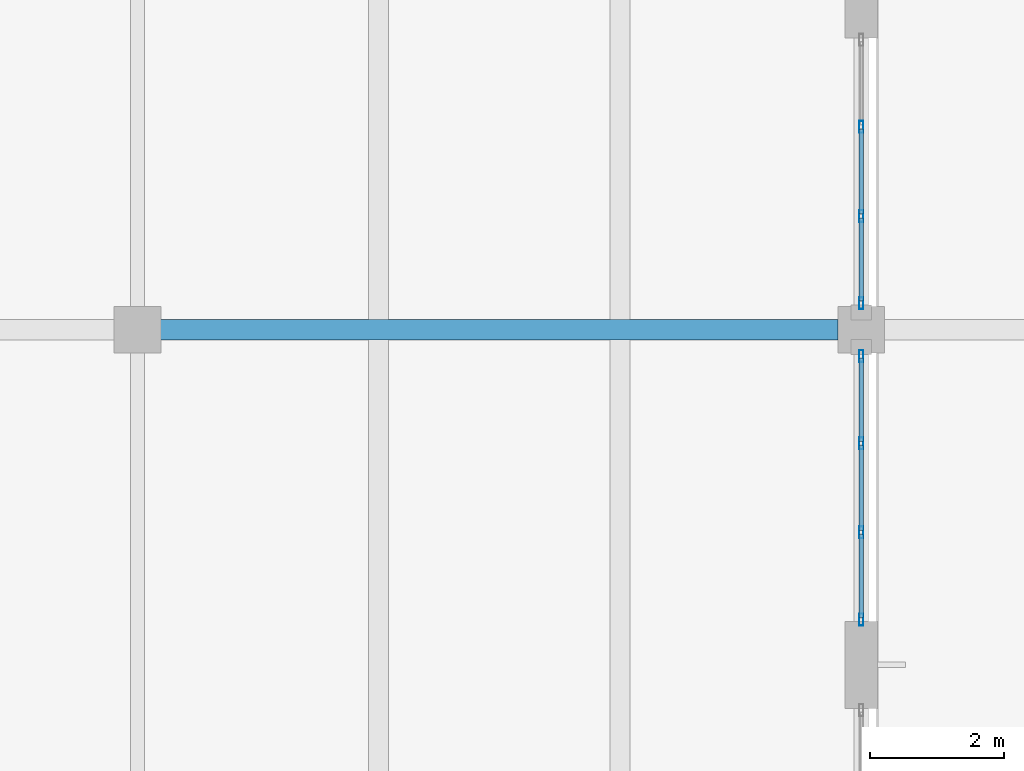
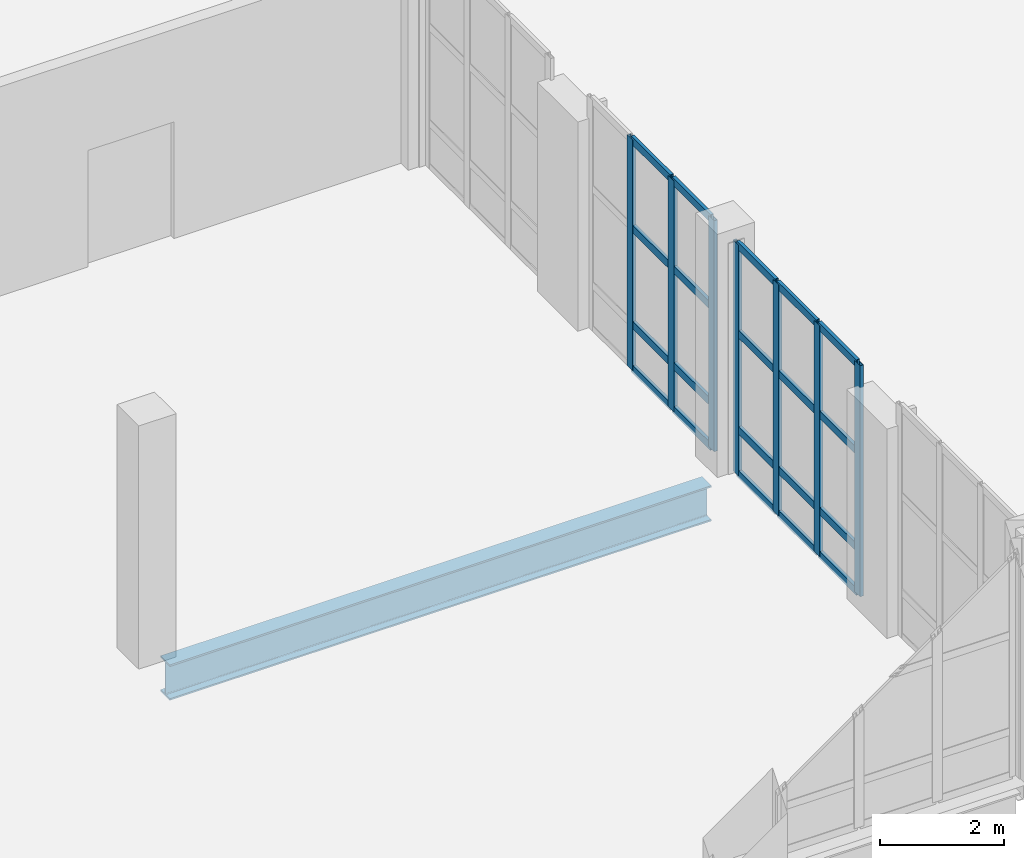
# One storey, part 50 of 92: 27 members, 1 beam, 2 elements without a shape of their own.
"""IFC4 building model written with IfcOpenShell, lengths in metres."""

from ifc_helpers import new_model, si_unit, direction, frame, origin, origin_2d, place, context, subcontext, project, spatial, hollow_rectangle, i_section, extrude, material, layer, layer_set, material_profile, profile_set, type_object, element, aggregate, save


model = new_model("IFC4")

# Units and contexts
model_context = context("Model", 3, precision=1e-05, world=origin(), true_north=direction((0.0, 1.0)))
body_context = subcontext(model_context, "Body", "Model", "MODEL_VIEW")
ifc_project = project(units=[si_unit("LENGTHUNIT", "METRE"), si_unit("AREAUNIT", "SQUARE_METRE"), si_unit("VOLUMEUNIT", "CUBIC_METRE"), si_unit("PLANEANGLEUNIT", "RADIAN"), si_unit("MASSUNIT", "GRAM", prefix="KILO")], contexts=[model_context])

# Site, building, storey
site_placement = place(None, origin())
site = spatial("IfcSite", under=ifc_project, at=site_placement, CompositionType="ELEMENT")
building_placement = place(site_placement, origin())
building = spatial("IfcBuilding", under=site, at=building_placement, Name="Tasgan Crest Museum", CompositionType="ELEMENT")
storey_placement = place(building_placement, frame((0.0, 0.0, 4.800048828125)))
storey = spatial("IfcBuildingStorey", under=building, at=storey_placement, Name="L01", CompositionType="ELEMENT", Elevation=4.800048828125)

# Beam
ifc_material_1 = material(Name="Steel S355K2", Category="steel")
ifc_material_profile_1 = material_profile(ifc_material_1, i_section(OverallWidth=0.300048828125, OverallDepth=0.699951171875, WebThickness=0.01708984375, FlangeThickness=0.031982421875, FilletRadius=0.027099609375, at=origin_2d()), Name="HEB 700")
ifc_profile_set_1 = profile_set([ifc_material_profile_1], Name="Steel S355K2")
beam_type = type_object("IfcBeamType", Name="BM-G-HEB700", PredefinedType="BEAM", material=ifc_profile_set_1)
beam_placement = place(storey_placement, frame((140.74609375, 20.0, -0.630126953125), z_axis=(1.0, 0.0, 0.0), x_axis=(0.0, 1.0, 0.0)))
element("IfcBeam", 1, at=beam_placement, inside=storey, type_object=beam_type, Name="Girder L01 C 140.4-151.2", PredefinedType="BEAM", context=body_context, shape_type="SweptSolid", body=[
    extrude(i_section(OverallWidth=0.300048828125, OverallDepth=0.699951171875, WebThickness=0.01708984375, FlangeThickness=0.031982421875, FilletRadius=0.027099609375, at=origin_2d()), origin(), (0.0, 0.0, 1.0), 10.10791015625),
])

# Curtain wall, members
ifc_material_2 = material(Name="Triple-Glazed Aluminium Curtain Wall", Category="aluminium")
ifc_layer = layer(ifc_material_2, 0.179931640625, Name="CW-PORCH-Y")
ifc_layer_set = layer_set([ifc_layer], Name="Triple-Glazed Aluminium Curtain Wall")
curtain_wall_type = type_object("IfcCurtainWallType", Name="CW-PORCH-Y", PredefinedType="NOTDEFINED", material=ifc_layer_set)
curtain_wall_1_placement = place(storey_placement, origin())
curtain_wall_1 = element("IfcCurtainWall", 2, at=curtain_wall_1_placement, inside=storey, type_object=curtain_wall_type, Name="Curtain wall L01 052", PredefinedType="NOTDEFINED")
ifc_material_3 = material(Name="Anodised Aluminium", Category="aluminium")
ifc_material_profile_2 = material_profile(ifc_material_3, hollow_rectangle(XDim=0.06494140625, YDim=0.179931640625, WallThickness=0.0048828125, at=origin_2d()), Name="ALU MULLION 180x65x5")
ifc_profile_set_2 = profile_set([ifc_material_profile_2], Name="Anodised Aluminium")
member_type_1 = type_object("IfcMemberType", Name="CW-MULLION-180", PredefinedType="MULLION", material=ifc_profile_set_2)
member_1_placement = place(storey_placement, frame((151.199951171875, 15.675048828125, 0.0), z_axis=(0.0, 0.0, 1.0), x_axis=(-1.0, 0.0, 0.0)))
member_1 = element("IfcMember", 3, at=member_1_placement, type_object=member_type_1, Name="CW02 mullion 1", PredefinedType="MULLION", context=body_context, shape_type="SweptSolid", body=[
    extrude(hollow_rectangle(XDim=0.06494140625, YDim=0.179931640625, WallThickness=0.0048828125, at=origin_2d()), origin(), (0.0, 0.0, 1.0), 4.56005859375),
])
member_2_placement = place(storey_placement, frame((151.199951171875, 16.97509765625, 0.0), z_axis=(0.0, 0.0, 1.0), x_axis=(-1.0, 0.0, 0.0)))
member_2 = element("IfcMember", 4, at=member_2_placement, type_object=member_type_1, Name="CW02 mullion 2", PredefinedType="MULLION", context=body_context, shape_type="SweptSolid", body=[
    extrude(hollow_rectangle(XDim=0.06494140625, YDim=0.179931640625, WallThickness=0.0048828125, at=origin_2d()), origin(), (0.0, 0.0, 1.0), 4.56005859375),
])
member_3_placement = place(storey_placement, frame((151.199951171875, 18.304931640625, 0.0), z_axis=(0.0, 0.0, 1.0), x_axis=(-1.0, 0.0, 0.0)))
member_3 = element("IfcMember", 5, at=member_3_placement, type_object=member_type_1, Name="CW02 mullion 3", PredefinedType="MULLION", context=body_context, shape_type="SweptSolid", body=[
    extrude(hollow_rectangle(XDim=0.06494140625, YDim=0.179931640625, WallThickness=0.0048828125, at=origin_2d()), origin(), (0.0, 0.0, 1.0), 4.56005859375),
])
member_4_placement = place(storey_placement, frame((151.199951171875, 19.60498046875, 0.0), z_axis=(0.0, 0.0, 1.0), x_axis=(-1.0, 0.0, 0.0)))
member_4 = element("IfcMember", 6, at=member_4_placement, type_object=member_type_1, Name="CW02 mullion 4", PredefinedType="MULLION", context=body_context, shape_type="SweptSolid", body=[
    extrude(hollow_rectangle(XDim=0.06494140625, YDim=0.179931640625, WallThickness=0.0048828125, at=origin_2d()), origin(), (0.0, 0.0, 1.0), 4.56005859375),
])

curtain_wall_2_placement = place(storey_placement, origin())
curtain_wall_2 = element("IfcCurtainWall", 7, at=curtain_wall_2_placement, inside=storey, type_object=curtain_wall_type, Name="Curtain wall L01 053", PredefinedType="NOTDEFINED")
member_5_placement = place(storey_placement, frame((151.199951171875, 20.39501953125, 0.0), z_axis=(0.0, 0.0, 1.0), x_axis=(-1.0, 0.0, 0.0)))
member_5 = element("IfcMember", 8, at=member_5_placement, type_object=member_type_1, Name="CW02 mullion 1", PredefinedType="MULLION", context=body_context, shape_type="SweptSolid", body=[
    extrude(hollow_rectangle(XDim=0.06494140625, YDim=0.179931640625, WallThickness=0.0048828125, at=origin_2d()), origin(), (0.0, 0.0, 1.0), 4.56005859375),
])
member_6_placement = place(storey_placement, frame((151.199951171875, 21.695068359375, 0.0), z_axis=(0.0, 0.0, 1.0), x_axis=(-1.0, 0.0, 0.0)))
member_6 = element("IfcMember", 9, at=member_6_placement, type_object=member_type_1, Name="CW02 mullion 2", PredefinedType="MULLION", context=body_context, shape_type="SweptSolid", body=[
    extrude(hollow_rectangle(XDim=0.06494140625, YDim=0.179931640625, WallThickness=0.0048828125, at=origin_2d()), origin(), (0.0, 0.0, 1.0), 4.56005859375),
])
member_7_placement = place(storey_placement, frame((151.199951171875, 23.02490234375, 0.0), z_axis=(0.0, 0.0, 1.0), x_axis=(-1.0, 0.0, 0.0)))
member_7 = element("IfcMember", 10, at=member_7_placement, type_object=member_type_1, Name="CW02 mullion 3", PredefinedType="MULLION", context=body_context, shape_type="SweptSolid", body=[
    extrude(hollow_rectangle(XDim=0.06494140625, YDim=0.179931640625, WallThickness=0.0048828125, at=origin_2d()), origin(), (0.0, 0.0, 1.0), 4.56005859375),
])

# Member
ifc_material_4 = material(Name="Anodised Aluminium", Category="aluminium")
ifc_material_profile_3 = material_profile(ifc_material_4, hollow_rectangle(XDim=0.06005859375, YDim=0.14990234375, WallThickness=0.0048828125, at=origin_2d()), Name="ALU TRANSOM 150x60x5")
ifc_profile_set_3 = profile_set([ifc_material_profile_3], Name="Anodised Aluminium")
member_type_2 = type_object("IfcMemberType", Name="CW-TRANSOM-150", PredefinedType="USERDEFINED", material=ifc_profile_set_3)
member_8_placement = place(storey_placement, frame((151.199951171875, 15.705078125, 0.030029296875), z_axis=(0.0, 1.0, 0.0), x_axis=(-1.0, 0.0, 0.0)))
member_8 = element("IfcMember", 11, at=member_8_placement, type_object=member_type_2, Name="CW02 transom 1.1", ObjectType="TRANSOM", PredefinedType="USERDEFINED", context=body_context, shape_type="SweptSolid", body=[
    extrude(hollow_rectangle(XDim=0.06005859375, YDim=0.14990234375, WallThickness=0.0048828125, at=origin_2d()), origin(), (0.0, 0.0, 1.0), 1.239990234375),
])

member_9_placement = place(storey_placement, frame((151.199951171875, 15.705078125, 0.89990234375), z_axis=(0.0, 1.0, 0.0), x_axis=(-1.0, 0.0, 0.0)))
member_9 = element("IfcMember", 12, at=member_9_placement, type_object=member_type_2, Name="CW02 transom 1.2", ObjectType="TRANSOM", PredefinedType="USERDEFINED", context=body_context, shape_type="SweptSolid", body=[
    extrude(hollow_rectangle(XDim=0.06005859375, YDim=0.14990234375, WallThickness=0.0048828125, at=origin_2d()), origin(), (0.0, 0.0, 1.0), 1.239990234375),
])

member_10_placement = place(storey_placement, frame((151.199951171875, 15.705078125, 2.800048828125), z_axis=(0.0, 1.0, 0.0), x_axis=(-1.0, 0.0, 0.0)))
member_10 = element("IfcMember", 13, at=member_10_placement, type_object=member_type_2, Name="CW02 transom 1.3", ObjectType="TRANSOM", PredefinedType="USERDEFINED", context=body_context, shape_type="SweptSolid", body=[
    extrude(hollow_rectangle(XDim=0.06005859375, YDim=0.14990234375, WallThickness=0.0048828125, at=origin_2d()), origin(), (0.0, 0.0, 1.0), 1.239990234375),
])

member_11_placement = place(storey_placement, frame((151.199951171875, 15.705078125, 4.530029296875), z_axis=(0.0, 1.0, 0.0), x_axis=(-1.0, 0.0, 0.0)))
member_11 = element("IfcMember", 14, at=member_11_placement, type_object=member_type_2, Name="CW02 transom 1.4", ObjectType="TRANSOM", PredefinedType="USERDEFINED", context=body_context, shape_type="SweptSolid", body=[
    extrude(hollow_rectangle(XDim=0.06005859375, YDim=0.14990234375, WallThickness=0.0048828125, at=origin_2d()), origin(), (0.0, 0.0, 1.0), 1.239990234375),
])

member_12_placement = place(storey_placement, frame((151.199951171875, 17.0048828125, 0.030029296875), z_axis=(0.0, 1.0, 0.0), x_axis=(-1.0, 0.0, 0.0)))
member_12 = element("IfcMember", 15, at=member_12_placement, type_object=member_type_2, Name="CW02 transom 2.1", ObjectType="TRANSOM", PredefinedType="USERDEFINED", context=body_context, shape_type="SweptSolid", body=[
    extrude(hollow_rectangle(XDim=0.06005859375, YDim=0.14990234375, WallThickness=0.0048828125, at=origin_2d()), origin(), (0.0, 0.0, 1.0), 1.27001953125),
])

member_13_placement = place(storey_placement, frame((151.199951171875, 17.0048828125, 0.89990234375), z_axis=(0.0, 1.0, 0.0), x_axis=(-1.0, 0.0, 0.0)))
member_13 = element("IfcMember", 16, at=member_13_placement, type_object=member_type_2, Name="CW02 transom 2.2", ObjectType="TRANSOM", PredefinedType="USERDEFINED", context=body_context, shape_type="SweptSolid", body=[
    extrude(hollow_rectangle(XDim=0.06005859375, YDim=0.14990234375, WallThickness=0.0048828125, at=origin_2d()), origin(), (0.0, 0.0, 1.0), 1.27001953125),
])

member_14_placement = place(storey_placement, frame((151.199951171875, 17.0048828125, 2.800048828125), z_axis=(0.0, 1.0, 0.0), x_axis=(-1.0, 0.0, 0.0)))
member_14 = element("IfcMember", 17, at=member_14_placement, type_object=member_type_2, Name="CW02 transom 2.3", ObjectType="TRANSOM", PredefinedType="USERDEFINED", context=body_context, shape_type="SweptSolid", body=[
    extrude(hollow_rectangle(XDim=0.06005859375, YDim=0.14990234375, WallThickness=0.0048828125, at=origin_2d()), origin(), (0.0, 0.0, 1.0), 1.27001953125),
])

member_15_placement = place(storey_placement, frame((151.199951171875, 17.0048828125, 4.530029296875), z_axis=(0.0, 1.0, 0.0), x_axis=(-1.0, 0.0, 0.0)))
member_15 = element("IfcMember", 18, at=member_15_placement, type_object=member_type_2, Name="CW02 transom 2.4", ObjectType="TRANSOM", PredefinedType="USERDEFINED", context=body_context, shape_type="SweptSolid", body=[
    extrude(hollow_rectangle(XDim=0.06005859375, YDim=0.14990234375, WallThickness=0.0048828125, at=origin_2d()), origin(), (0.0, 0.0, 1.0), 1.27001953125),
])

member_16_placement = place(storey_placement, frame((151.199951171875, 18.3349609375, 0.030029296875), z_axis=(0.0, 1.0, 0.0), x_axis=(-1.0, 0.0, 0.0)))
member_16 = element("IfcMember", 19, at=member_16_placement, type_object=member_type_2, Name="CW02 transom 3.1", ObjectType="TRANSOM", PredefinedType="USERDEFINED", context=body_context, shape_type="SweptSolid", body=[
    extrude(hollow_rectangle(XDim=0.06005859375, YDim=0.14990234375, WallThickness=0.0048828125, at=origin_2d()), origin(), (0.0, 0.0, 1.0), 1.239990234375),
])

member_17_placement = place(storey_placement, frame((151.199951171875, 18.3349609375, 0.89990234375), z_axis=(0.0, 1.0, 0.0), x_axis=(-1.0, 0.0, 0.0)))
member_17 = element("IfcMember", 20, at=member_17_placement, type_object=member_type_2, Name="CW02 transom 3.2", ObjectType="TRANSOM", PredefinedType="USERDEFINED", context=body_context, shape_type="SweptSolid", body=[
    extrude(hollow_rectangle(XDim=0.06005859375, YDim=0.14990234375, WallThickness=0.0048828125, at=origin_2d()), origin(), (0.0, 0.0, 1.0), 1.239990234375),
])

member_18_placement = place(storey_placement, frame((151.199951171875, 18.3349609375, 2.800048828125), z_axis=(0.0, 1.0, 0.0), x_axis=(-1.0, 0.0, 0.0)))
member_18 = element("IfcMember", 21, at=member_18_placement, type_object=member_type_2, Name="CW02 transom 3.3", ObjectType="TRANSOM", PredefinedType="USERDEFINED", context=body_context, shape_type="SweptSolid", body=[
    extrude(hollow_rectangle(XDim=0.06005859375, YDim=0.14990234375, WallThickness=0.0048828125, at=origin_2d()), origin(), (0.0, 0.0, 1.0), 1.239990234375),
])

member_19_placement = place(storey_placement, frame((151.199951171875, 18.3349609375, 4.530029296875), z_axis=(0.0, 1.0, 0.0), x_axis=(-1.0, 0.0, 0.0)))
member_19 = element("IfcMember", 22, at=member_19_placement, type_object=member_type_2, Name="CW02 transom 3.4", ObjectType="TRANSOM", PredefinedType="USERDEFINED", context=body_context, shape_type="SweptSolid", body=[
    extrude(hollow_rectangle(XDim=0.06005859375, YDim=0.14990234375, WallThickness=0.0048828125, at=origin_2d()), origin(), (0.0, 0.0, 1.0), 1.239990234375),
])

aggregate(curtain_wall_1, [member_1, member_2, member_3, member_4, member_8, member_9, member_10, member_11, member_12, member_13, member_14, member_15, member_16, member_17, member_18, member_19])

member_20_placement = place(storey_placement, frame((151.199951171875, 20.425048828125, 0.030029296875), z_axis=(0.0, 1.0, 0.0), x_axis=(-1.0, 0.0, 0.0)))
member_20 = element("IfcMember", 23, at=member_20_placement, type_object=member_type_2, Name="CW02 transom 1.1", ObjectType="TRANSOM", PredefinedType="USERDEFINED", context=body_context, shape_type="SweptSolid", body=[
    extrude(hollow_rectangle(XDim=0.06005859375, YDim=0.14990234375, WallThickness=0.0048828125, at=origin_2d()), origin(), (0.0, 0.0, 1.0), 1.239990234375),
])

member_21_placement = place(storey_placement, frame((151.199951171875, 20.425048828125, 0.89990234375), z_axis=(0.0, 1.0, 0.0), x_axis=(-1.0, 0.0, 0.0)))
member_21 = element("IfcMember", 24, at=member_21_placement, type_object=member_type_2, Name="CW02 transom 1.2", ObjectType="TRANSOM", PredefinedType="USERDEFINED", context=body_context, shape_type="SweptSolid", body=[
    extrude(hollow_rectangle(XDim=0.06005859375, YDim=0.14990234375, WallThickness=0.0048828125, at=origin_2d()), origin(), (0.0, 0.0, 1.0), 1.239990234375),
])

member_22_placement = place(storey_placement, frame((151.199951171875, 20.425048828125, 2.800048828125), z_axis=(0.0, 1.0, 0.0), x_axis=(-1.0, 0.0, 0.0)))
member_22 = element("IfcMember", 25, at=member_22_placement, type_object=member_type_2, Name="CW02 transom 1.3", ObjectType="TRANSOM", PredefinedType="USERDEFINED", context=body_context, shape_type="SweptSolid", body=[
    extrude(hollow_rectangle(XDim=0.06005859375, YDim=0.14990234375, WallThickness=0.0048828125, at=origin_2d()), origin(), (0.0, 0.0, 1.0), 1.239990234375),
])

member_23_placement = place(storey_placement, frame((151.199951171875, 20.425048828125, 4.530029296875), z_axis=(0.0, 1.0, 0.0), x_axis=(-1.0, 0.0, 0.0)))
member_23 = element("IfcMember", 26, at=member_23_placement, type_object=member_type_2, Name="CW02 transom 1.4", ObjectType="TRANSOM", PredefinedType="USERDEFINED", context=body_context, shape_type="SweptSolid", body=[
    extrude(hollow_rectangle(XDim=0.06005859375, YDim=0.14990234375, WallThickness=0.0048828125, at=origin_2d()), origin(), (0.0, 0.0, 1.0), 1.239990234375),
])

member_24_placement = place(storey_placement, frame((151.199951171875, 21.72509765625, 0.030029296875), z_axis=(0.0, 1.0, 0.0), x_axis=(-1.0, 0.0, 0.0)))
member_24 = element("IfcMember", 27, at=member_24_placement, type_object=member_type_2, Name="CW02 transom 2.1", ObjectType="TRANSOM", PredefinedType="USERDEFINED", context=body_context, shape_type="SweptSolid", body=[
    extrude(hollow_rectangle(XDim=0.06005859375, YDim=0.14990234375, WallThickness=0.0048828125, at=origin_2d()), origin(), (0.0, 0.0, 1.0), 1.27001953125),
])

member_25_placement = place(storey_placement, frame((151.199951171875, 21.72509765625, 0.89990234375), z_axis=(0.0, 1.0, 0.0), x_axis=(-1.0, 0.0, 0.0)))
member_25 = element("IfcMember", 28, at=member_25_placement, type_object=member_type_2, Name="CW02 transom 2.2", ObjectType="TRANSOM", PredefinedType="USERDEFINED", context=body_context, shape_type="SweptSolid", body=[
    extrude(hollow_rectangle(XDim=0.06005859375, YDim=0.14990234375, WallThickness=0.0048828125, at=origin_2d()), origin(), (0.0, 0.0, 1.0), 1.27001953125),
])

member_26_placement = place(storey_placement, frame((151.199951171875, 21.72509765625, 2.800048828125), z_axis=(0.0, 1.0, 0.0), x_axis=(-1.0, 0.0, 0.0)))
member_26 = element("IfcMember", 29, at=member_26_placement, type_object=member_type_2, Name="CW02 transom 2.3", ObjectType="TRANSOM", PredefinedType="USERDEFINED", context=body_context, shape_type="SweptSolid", body=[
    extrude(hollow_rectangle(XDim=0.06005859375, YDim=0.14990234375, WallThickness=0.0048828125, at=origin_2d()), origin(), (0.0, 0.0, 1.0), 1.27001953125),
])

member_27_placement = place(storey_placement, frame((151.199951171875, 21.72509765625, 4.530029296875), z_axis=(0.0, 1.0, 0.0), x_axis=(-1.0, 0.0, 0.0)))
member_27 = element("IfcMember", 30, at=member_27_placement, type_object=member_type_2, Name="CW02 transom 2.4", ObjectType="TRANSOM", PredefinedType="USERDEFINED", context=body_context, shape_type="SweptSolid", body=[
    extrude(hollow_rectangle(XDim=0.06005859375, YDim=0.14990234375, WallThickness=0.0048828125, at=origin_2d()), origin(), (0.0, 0.0, 1.0), 1.27001953125),
])

aggregate(curtain_wall_2, [member_5, member_6, member_7, member_20, member_21, member_22, member_23, member_24, member_25, member_26, member_27])

save(model, "model.ifc")
